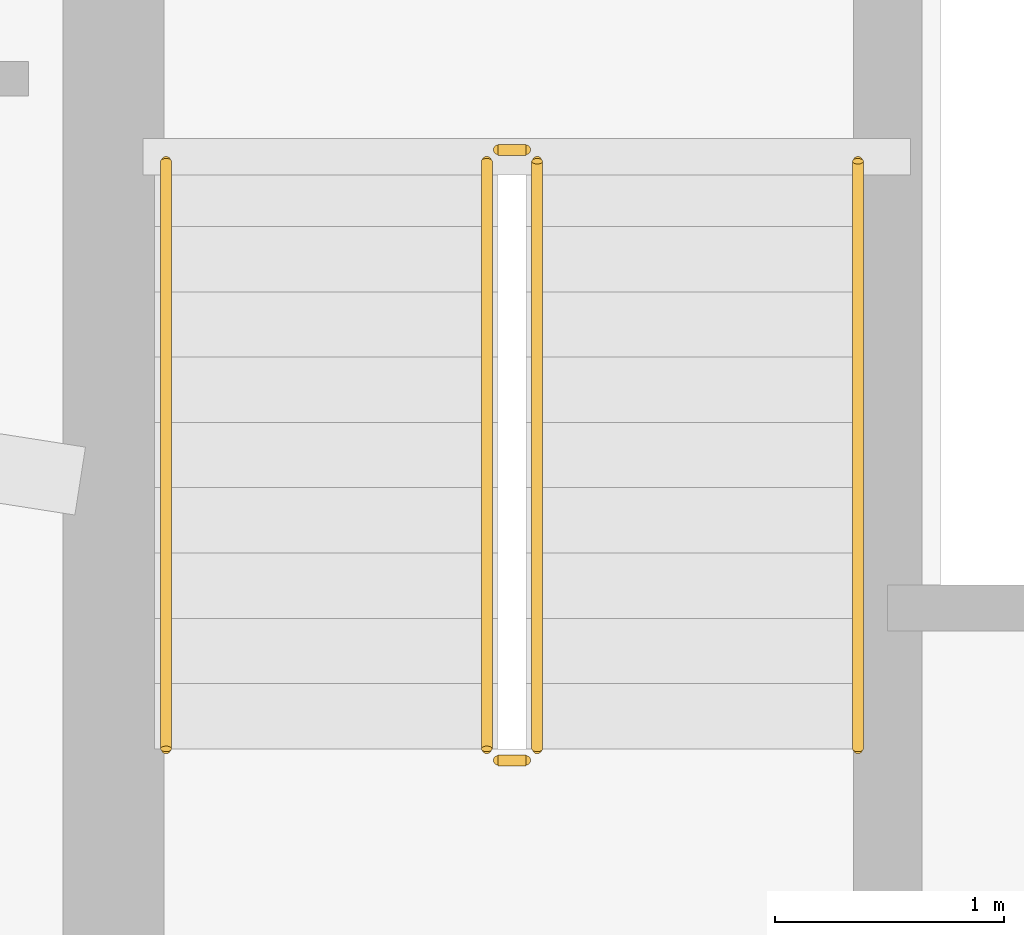
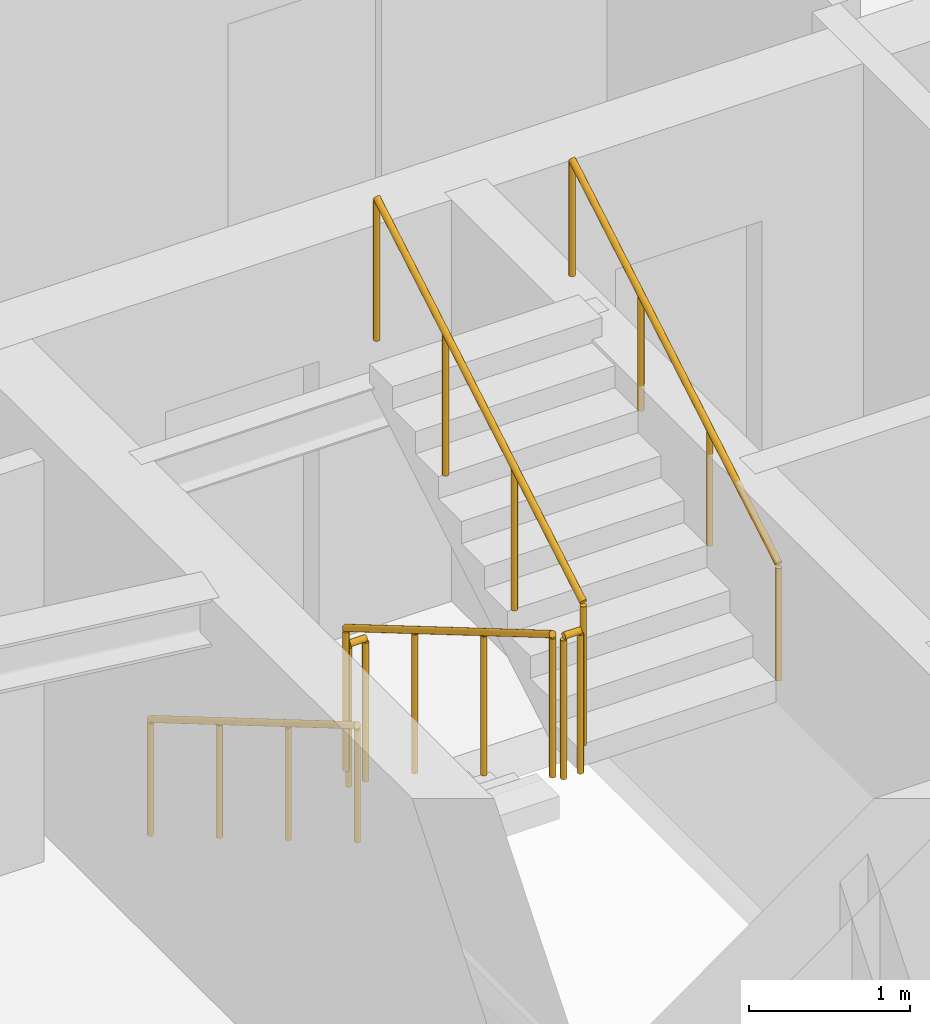
# One storey, part 10 of 11: 6 railings.
"""IFC4 building model written with IfcOpenShell, lengths in metres."""

from ifc_helpers import new_model, si_unit, direction, frame, origin, origin_2d, place, context, subcontext, project, spatial, circle, extrude, material, type_object, element, save


model = new_model("IFC4")

# Units and contexts
model_context = context("Model", 3, precision=1e-05, world=origin(), true_north=direction((0.0, 1.0)))
body_context = subcontext(model_context, "Body", "Model", "MODEL_VIEW")
ifc_project = project(units=[si_unit("LENGTHUNIT", "METRE"), si_unit("AREAUNIT", "SQUARE_METRE"), si_unit("VOLUMEUNIT", "CUBIC_METRE"), si_unit("PLANEANGLEUNIT", "RADIAN"), si_unit("MASSUNIT", "GRAM", prefix="KILO")], contexts=[model_context])

# Site, building, storey
site_placement = place(None, origin())
site = spatial("IfcSite", under=ifc_project, at=site_placement, CompositionType="ELEMENT")
building_placement = place(site_placement, origin())
building = spatial("IfcBuilding", under=site, at=building_placement, Name="Qobustan Lattice House", CompositionType="ELEMENT")
storey_placement = place(building_placement, frame((0.0, 0.0, 251.75)))
storey = spatial("IfcBuildingStorey", under=building, at=storey_placement, Name="L71", CompositionType="ELEMENT", Elevation=251.75)

# Railings
ifc_material_1 = material(Name="Brushed stainless steel handrail", Category="steel")
railing_type_1 = type_object("IfcRailingType", Name="RAL-HR-920", PredefinedType="HANDRAIL", material=ifc_material_1)
railing_1_placement = place(storey_placement, frame((-18.199951171875, 3.5, 0.16748046875)))
element("IfcRailing", 1, at=railing_1_placement, inside=storey, type_object=railing_type_1, Name="L71 ST-W1 stair handrail 1", PredefinedType="HANDRAIL", context=body_context, shape_type="SweptSolid", body=[
    extrude(circle(Radius=0.02392578125, at=origin_2d()), frame((0.0, 0.0, 0.8759765625), z_axis=(0.0, -0.862113467892, 0.50671527358), x_axis=(1.0, 0.0, 0.0)), (0.0, 0.0, 1.0), 2.97509765625),
    extrude(circle(Radius=0.02099609375, at=origin_2d()), origin(), (0.0, 0.0, 1.0), 0.851806640625),
    extrude(circle(Radius=0.02099609375, at=origin_2d()), frame((0.0, -0.85498046875, 0.50244140625)), (0.0, 0.0, 1.0), 0.851806640625),
    extrude(circle(Radius=0.02099609375, at=origin_2d()), frame((0.0, -1.7099609375, 1.005126953125)), (0.0, 0.0, 1.0), 0.851806640625),
    extrude(circle(Radius=0.02099609375, at=origin_2d()), frame((0.0, -2.56494140625, 1.507568359375)), (0.0, 0.0, 1.0), 0.851806640625),
])
railing_2_placement = place(storey_placement, frame((-15.179931640625, 0.93505859375, 1.842529296875)))
element("IfcRailing", 2, at=railing_2_placement, inside=storey, type_object=railing_type_1, Name="L71 ST-W1 stair handrail 2", PredefinedType="HANDRAIL", context=body_context, shape_type="SweptSolid", body=[
    extrude(circle(Radius=0.02392578125, at=origin_2d()), frame((0.0, 0.0, 0.8759765625), z_axis=(0.0, 0.862113467892, 0.50671527358), x_axis=(-1.0, 0.0, 0.0)), (0.0, 0.0, 1.0), 2.97509765625),
    extrude(circle(Radius=0.02099609375, at=origin_2d()), origin(), (0.0, 0.0, 1.0), 0.851806640625),
    extrude(circle(Radius=0.02099609375, at=origin_2d()), frame((0.0, 0.85498046875, 0.50244140625)), (0.0, 0.0, 1.0), 0.851806640625),
    extrude(circle(Radius=0.02099609375, at=origin_2d()), frame((0.0, 1.7099609375, 1.005126953125)), (0.0, 0.0, 1.0), 0.851806640625),
    extrude(circle(Radius=0.02099609375, at=origin_2d()), frame((0.0, 2.56494140625, 1.507568359375)), (0.0, 0.0, 1.0), 0.851806640625),
])
ifc_material_2 = material(Name="Painted galvanized steel guardrail", Category="steel")
railing_type_2 = type_object("IfcRailingType", Name="RAL-STG-1150", PredefinedType="GUARDRAIL", material=ifc_material_2)
railing_3_placement = place(storey_placement, frame((-16.800048828125, 3.5, 0.16748046875)))
element("IfcRailing", 3, at=railing_3_placement, inside=storey, type_object=railing_type_2, Name="L71 ST-W1 stair guard 1", PredefinedType="GUARDRAIL", context=body_context, shape_type="SweptSolid", body=[
    extrude(circle(Radius=0.02392578125, at=origin_2d()), frame((0.0, 0.0, 1.076171875), z_axis=(0.0, -0.862113467892, 0.50671527358), x_axis=(1.0, 0.0, 0.0)), (0.0, 0.0, 1.0), 2.97509765625),
    extrude(circle(Radius=0.02099609375, at=origin_2d()), origin(), (0.0, 0.0, 1.0), 1.052001953125),
    extrude(circle(Radius=0.02099609375, at=origin_2d()), frame((0.0, -0.85498046875, 0.50244140625)), (0.0, 0.0, 1.0), 1.052001953125),
    extrude(circle(Radius=0.02099609375, at=origin_2d()), frame((0.0, -1.7099609375, 1.005126953125)), (0.0, 0.0, 1.0), 1.052001953125),
    extrude(circle(Radius=0.02099609375, at=origin_2d()), frame((0.0, -2.56494140625, 1.507568359375)), (0.0, 0.0, 1.0), 1.052001953125),
])
railing_4_placement = place(storey_placement, frame((-16.75, 0.885009765625, 1.675048828125)))
element("IfcRailing", 4, at=railing_4_placement, inside=storey, type_object=railing_type_2, Name="L71 ST-W1 stair guard 2", PredefinedType="GUARDRAIL", context=body_context, shape_type="SweptSolid", body=[
    extrude(circle(Radius=0.02392578125, at=origin_2d()), frame((0.0, 0.0, 1.076171875), z_axis=(1.0, 0.0, 0.0), x_axis=(0.0, 1.0, 0.0)), (0.0, 0.0, 1.0), 0.1201171875),
    extrude(circle(Radius=0.02099609375, at=origin_2d()), origin(), (0.0, 0.0, 1.0), 1.052001953125),
    extrude(circle(Radius=0.02099609375, at=origin_2d()), frame((0.1201171875, 0.0, 0.0)), (0.0, 0.0, 1.0), 1.052001953125),
])
railing_5_placement = place(storey_placement, frame((-16.580078125, 0.93505859375, 1.842529296875)))
element("IfcRailing", 5, at=railing_5_placement, inside=storey, type_object=railing_type_2, Name="L71 ST-W1 stair guard 3", PredefinedType="GUARDRAIL", context=body_context, shape_type="SweptSolid", body=[
    extrude(circle(Radius=0.02392578125, at=origin_2d()), frame((0.0, 0.0, 1.076171875), z_axis=(0.0, 0.862113467892, 0.50671527358), x_axis=(-1.0, 0.0, 0.0)), (0.0, 0.0, 1.0), 2.97509765625),
    extrude(circle(Radius=0.02099609375, at=origin_2d()), origin(), (0.0, 0.0, 1.0), 1.052001953125),
    extrude(circle(Radius=0.02099609375, at=origin_2d()), frame((0.0, 0.85498046875, 0.50244140625)), (0.0, 0.0, 1.0), 1.052001953125),
    extrude(circle(Radius=0.02099609375, at=origin_2d()), frame((0.0, 1.7099609375, 1.005126953125)), (0.0, 0.0, 1.0), 1.052001953125),
    extrude(circle(Radius=0.02099609375, at=origin_2d()), frame((0.0, 2.56494140625, 1.507568359375)), (0.0, 0.0, 1.0), 1.052001953125),
])
railing_6_placement = place(storey_placement, frame((-16.75, 3.550048828125, 0.0)))
element("IfcRailing", 6, at=railing_6_placement, inside=storey, type_object=railing_type_2, Name="L71 ST-W1 stair guard 4", PredefinedType="GUARDRAIL", context=body_context, shape_type="SweptSolid", body=[
    extrude(circle(Radius=0.02392578125, at=origin_2d()), frame((0.0, 0.0, 1.076171875), z_axis=(1.0, 0.0, 0.0), x_axis=(0.0, 1.0, 0.0)), (0.0, 0.0, 1.0), 0.1201171875),
    extrude(circle(Radius=0.02099609375, at=origin_2d()), origin(), (0.0, 0.0, 1.0), 1.052001953125),
    extrude(circle(Radius=0.02099609375, at=origin_2d()), frame((0.1201171875, 0.0, 0.0)), (0.0, 0.0, 1.0), 1.052001953125),
])

save(model, "model.ifc")
